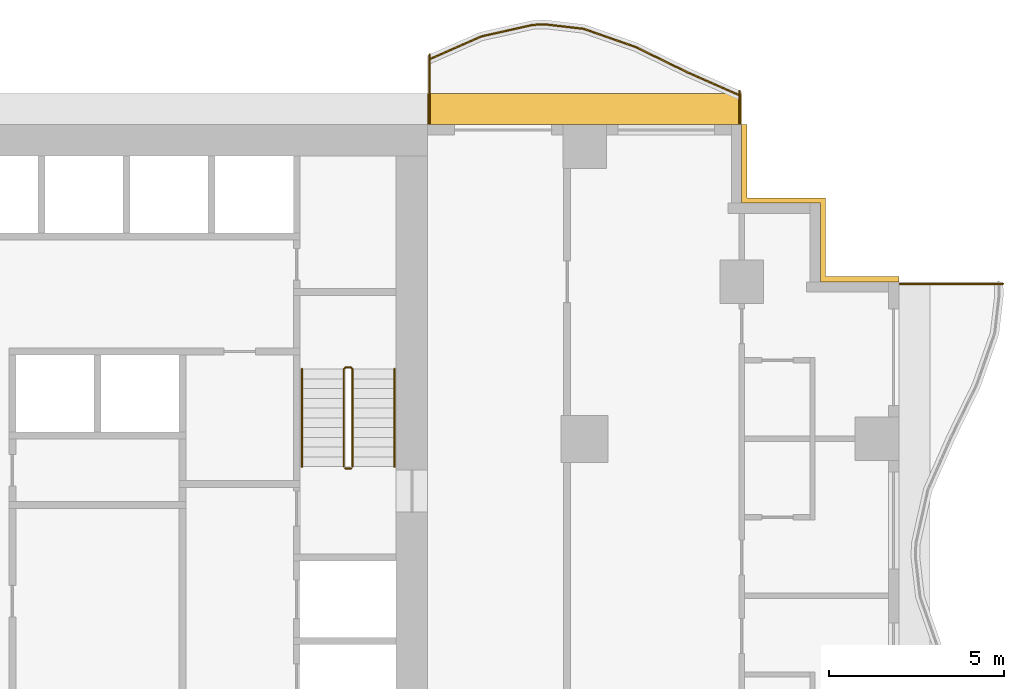
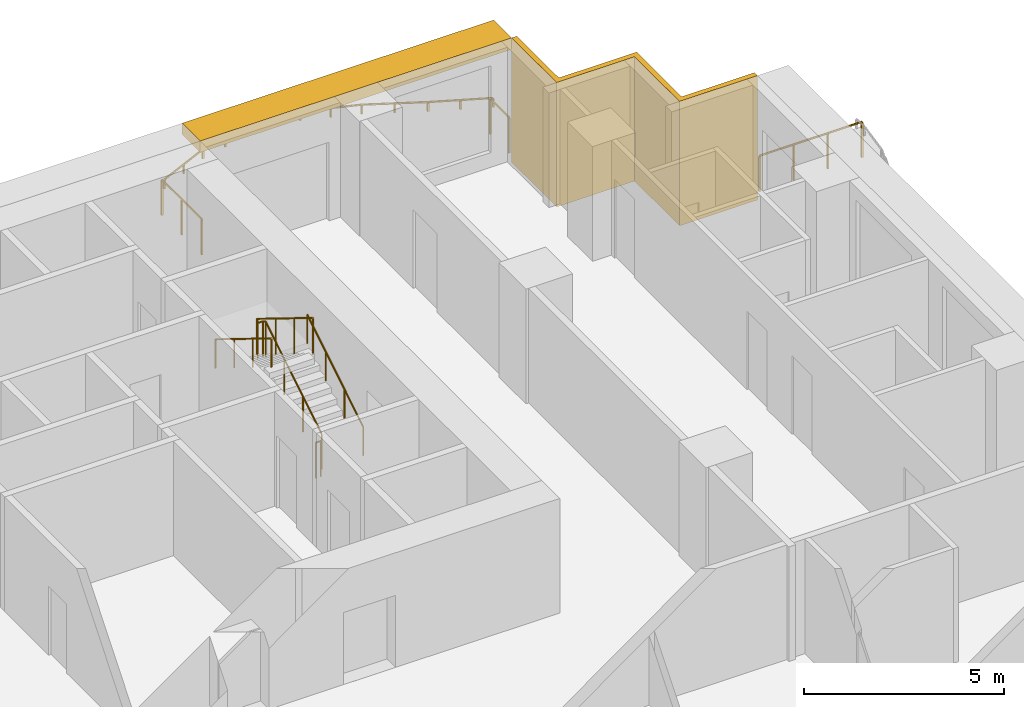
# One storey, part 14 of 14: 8 railings, 2 shading devices.
"""IFC4 building model written with IfcOpenShell, lengths in metres."""

from ifc_helpers import new_model, si_unit, direction, frame, origin, origin_2d, place, context, subcontext, project, spatial, polyline, rectangle, circle, outline, extrude, material, layer, layer_set, type_object, element, save


model = new_model("IFC4")

# Units and contexts
model_context = context("Model", 3, precision=1e-05, world=origin(), true_north=direction((0.0, 1.0)))
body_context = subcontext(model_context, "Body", "Model", "MODEL_VIEW")
ifc_project = project(units=[si_unit("LENGTHUNIT", "METRE"), si_unit("AREAUNIT", "SQUARE_METRE"), si_unit("VOLUMEUNIT", "CUBIC_METRE"), si_unit("PLANEANGLEUNIT", "RADIAN"), si_unit("MASSUNIT", "GRAM", prefix="KILO")], contexts=[model_context])

# Site, building, storey
site_placement = place(None, origin())
site = spatial("IfcSite", under=ifc_project, at=site_placement, CompositionType="ELEMENT")
building_placement = place(site_placement, origin())
building = spatial("IfcBuilding", under=site, at=building_placement, Name="Orbiselva Terraces", CompositionType="ELEMENT")
storey_placement = place(building_placement, frame((0.0, 0.0, 103.6)))
storey = spatial("IfcBuildingStorey", under=building, at=storey_placement, Name="L26", CompositionType="ELEMENT", Elevation=103.6)

# Railings
ifc_material_1 = material(Name="Stainless steel", Category="steel")
railing_type_1 = type_object("IfcRailingType", Name="CORE-GUARD-1100", PredefinedType="GUARDRAIL", material=ifc_material_1)
railing_1_placement = place(storey_placement, frame((11.35, 12.7, 0.172727)))
element("IfcRailing", 1, at=railing_1_placement, inside=storey, type_object=railing_type_1, Name="L26 S2 stair guard 1", PredefinedType="GUARDRAIL", context=body_context, shape_type="SweptSolid", body=[
    extrude(circle(Radius=0.024, at=origin_2d()), frame((0.0, 0.0, 1.081), z_axis=(0.0, 0.851088519012, 0.52502222125), x_axis=(-1.0, 0.0, 0.0)), (0.0, 0.0, 1.0), 3.289905),
    extrude(circle(Radius=0.024, at=origin_2d()), frame((0.0, 2.8, 2.808273), z_axis=(-0.707106781187, 0.707106781187, 0.0), x_axis=(-0.707106781187, -0.707106781187, 0.0)), (0.0, 0.0, 1.0), 0.070711),
    extrude(circle(Radius=0.024, at=origin_2d()), frame((-0.05, 2.85, 2.808273), z_axis=(-1.0, 0.0, 0.0), x_axis=(0.0, -1.0, 0.0)), (0.0, 0.0, 1.0), 0.15),
    extrude(circle(Radius=0.024, at=origin_2d()), frame((-0.2, 2.85, 2.808273), z_axis=(-0.267894925557, -0.267894925557, 0.925453736133), x_axis=(0.707106781187, -0.707106781187, 0.0)), (0.0, 0.0, 1.0), 0.18664),
    extrude(circle(Radius=0.024, at=origin_2d()), frame((-0.25, 2.8, 2.981), z_axis=(0.0, -0.851088519012, 0.52502222125), x_axis=(1.0, 0.0, 0.0)), (0.0, 0.0, 1.0), 3.289905),
    extrude(circle(Radius=0.021, at=origin_2d()), origin(), (0.0, 0.0, 1.0), 1.057),
    extrude(circle(Radius=0.021, at=origin_2d()), frame((0.0, 0.933333, 0.575758)), (0.0, 0.0, 1.0), 1.057),
    extrude(circle(Radius=0.021, at=origin_2d()), frame((0.0, 1.866667, 1.151515)), (0.0, 0.0, 1.0), 1.057),
    extrude(circle(Radius=0.021, at=origin_2d()), frame((0.0, 2.8, 1.727273)), (0.0, 0.0, 1.0), 1.057),
    extrude(circle(Radius=0.021, at=origin_2d()), frame((-0.05, 2.85, 1.727273)), (0.0, 0.0, 1.0), 1.057),
    extrude(circle(Radius=0.021, at=origin_2d()), frame((-0.2, 2.85, 1.727273)), (0.0, 0.0, 1.0), 1.057),
    extrude(circle(Radius=0.021, at=origin_2d()), frame((-0.25, 2.8, 1.9)), (0.0, 0.0, 1.0), 1.057),
    extrude(circle(Radius=0.021, at=origin_2d()), frame((-0.25, 1.866667, 2.475758)), (0.0, 0.0, 1.0), 1.057),
    extrude(circle(Radius=0.021, at=origin_2d()), frame((-0.25, 0.933333, 3.051515)), (0.0, 0.0, 1.0), 1.057),
    extrude(circle(Radius=0.021, at=origin_2d()), frame((-0.25, 0.0, 3.627273)), (0.0, 0.0, 1.0), 1.057),
])
railing_2_placement = place(storey_placement, frame((11.3, 12.65, 0.0)))
element("IfcRailing", 2, at=railing_2_placement, inside=storey, type_object=railing_type_1, Name="L26 S2 stair guard 2", PredefinedType="GUARDRAIL", context=body_context, shape_type="SweptSolid", body=[
    extrude(circle(Radius=0.024, at=origin_2d()), frame((0.0, 0.0, 1.081), z_axis=(-1.0, 0.0, 0.0), x_axis=(0.0, -1.0, 0.0)), (0.0, 0.0, 1.0), 0.15),
    extrude(circle(Radius=0.021, at=origin_2d()), origin(), (0.0, 0.0, 1.0), 1.057),
    extrude(circle(Radius=0.021, at=origin_2d()), frame((-0.15, 0.0, 0.0)), (0.0, 0.0, 1.0), 1.057),
])
railing_type_2 = type_object("IfcRailingType", Name="CORE-HANDRAIL-900", PredefinedType="HANDRAIL", material=ifc_material_1)
railing_3_placement = place(storey_placement, frame((12.55, 12.7, 0.172727)))
element("IfcRailing", 3, at=railing_3_placement, inside=storey, type_object=railing_type_2, Name="L26 S2 stair handrail 1", PredefinedType="HANDRAIL", context=body_context, shape_type="SweptSolid", body=[
    extrude(circle(Radius=0.024, at=origin_2d()), frame((0.0, 0.0, 0.876), z_axis=(0.0, 0.851088519012, 0.52502222125), x_axis=(-1.0, 0.0, 0.0)), (0.0, 0.0, 1.0), 3.289905),
    extrude(circle(Radius=0.021, at=origin_2d()), origin(), (0.0, 0.0, 1.0), 0.852),
    extrude(circle(Radius=0.021, at=origin_2d()), frame((0.0, 0.933333, 0.575758)), (0.0, 0.0, 1.0), 0.852),
    extrude(circle(Radius=0.021, at=origin_2d()), frame((0.0, 1.866667, 1.151515)), (0.0, 0.0, 1.0), 0.852),
    extrude(circle(Radius=0.021, at=origin_2d()), frame((0.0, 2.8, 1.727273)), (0.0, 0.0, 1.0), 0.852),
])
railing_4_placement = place(storey_placement, frame((9.9, 15.5, 2.072727)))
element("IfcRailing", 4, at=railing_4_placement, inside=storey, type_object=railing_type_2, Name="L26 S2 stair handrail 2", PredefinedType="HANDRAIL", context=body_context, shape_type="SweptSolid", body=[
    extrude(circle(Radius=0.024, at=origin_2d()), frame((0.0, 0.0, 0.876), z_axis=(0.0, -0.851088519012, 0.52502222125), x_axis=(1.0, 0.0, 0.0)), (0.0, 0.0, 1.0), 3.289905),
    extrude(circle(Radius=0.021, at=origin_2d()), origin(), (0.0, 0.0, 1.0), 0.852),
    extrude(circle(Radius=0.021, at=origin_2d()), frame((0.0, -0.933333, 0.575758)), (0.0, 0.0, 1.0), 0.852),
    extrude(circle(Radius=0.021, at=origin_2d()), frame((0.0, -1.866667, 1.151515)), (0.0, 0.0, 1.0), 0.852),
    extrude(circle(Radius=0.021, at=origin_2d()), frame((0.0, -2.8, 1.727273)), (0.0, 0.0, 1.0), 0.852),
])
ifc_material_2 = material(Name="Bonded two-ply safety glass balustrade, stainless steel posts", Category="steel")
railing_type_3 = type_object("IfcRailingType", Name="ENV-BALUSTRADE-1200", PredefinedType="BALUSTRADE", material=ifc_material_2)
railing_5_placement = place(storey_placement, frame((22.449606, 23.33708, 0.9)))
element("IfcRailing", 5, at=railing_5_placement, inside=storey, type_object=railing_type_3, Name="Balcony balustrade L26 NE", PredefinedType="BALUSTRADE", context=body_context, shape_type="SweptSolid", body=[
    extrude(outline(polyline([(0.028868, 0.0), (0.014434, 0.025), (-0.014434, 0.025), (-0.028868, 0.0), (-0.014434, -0.025), (0.014434, -0.025), (0.028868, 0.0)])), frame((0.0, 0.0, 0.275), z_axis=(-0.915133394491, 0.403151175476, 0.0), x_axis=(-0.403151175476, -0.915133394491, 0.0)), (0.0, 0.0, 1.0), 1.641563),
    extrude(outline(polyline([(0.028868, 0.0), (0.014434, 0.025), (-0.014434, 0.025), (-0.028868, 0.0), (-0.014434, -0.025), (0.014434, -0.025), (0.028868, 0.0)])), frame((-1.502249, 0.661798, 0.275), z_axis=(-0.89857890432, 0.438811978768, 0.0), x_axis=(-0.438811978768, -0.89857890432, 0.0)), (0.0, 0.0, 1.0), 1.66438),
    extrude(outline(polyline([(0.028868, 0.0), (0.014434, 0.025), (-0.014434, 0.025), (-0.028868, 0.0), (-0.014434, -0.025), (0.014434, -0.025), (0.028868, 0.0)])), frame((-2.997826, 1.392148, 0.275), z_axis=(-0.943972277814, 0.330024754707, 0.0), x_axis=(-0.330024754707, -0.943972277814, 0.0)), (0.0, 0.0, 1.0), 1.567807),
    extrude(outline(polyline([(0.028868, 0.0), (0.014434, 0.025), (-0.014434, 0.025), (-0.028868, 0.0), (-0.014434, -0.025), (0.014434, -0.025), (0.028868, 0.0)])), frame((-4.477792, 1.909563, 0.275), z_axis=(-0.993309658409, 0.115481264762, 0.0), x_axis=(-0.115481264762, -0.993309658409, 0.0)), (0.0, 0.0, 1.0), 1.10902),
    extrude(outline(polyline([(0.028868, 0.0), (0.014434, 0.025), (-0.014434, 0.025), (-0.028868, 0.0), (-0.014434, -0.025), (0.014434, -0.025), (0.028868, 0.0)])), frame((-5.579392, 2.037634, 0.275), z_axis=(-0.999224931454, -0.039364150694, 0.0), x_axis=(0.039364150694, -0.999224931454, 0.0)), (0.0, 0.0, 1.0), 0.354206),
    extrude(outline(polyline([(0.028868, 0.0), (0.014434, 0.025), (-0.014434, 0.025), (-0.028868, 0.0), (-0.014434, -0.025), (0.014434, -0.025), (0.028868, 0.0)])), frame((-5.933323, 2.023691, 0.275), z_axis=(-0.975721325753, -0.219015740235, 0.0), x_axis=(0.219015740235, -0.975721325753, 0.0)), (0.0, 0.0, 1.0), 1.513782),
    extrude(outline(polyline([(0.028868, 0.0), (0.014434, 0.025), (-0.014434, 0.025), (-0.028868, 0.0), (-0.014434, -0.025), (0.014434, -0.025), (0.028868, 0.0)])), frame((-7.410352, 1.692149, 0.275), z_axis=(-0.915133311645, -0.403151363532, 0.0), x_axis=(0.403151363532, -0.915133311645, 0.0)), (0.0, 0.0, 1.0), 1.626932),
    extrude(rectangle(XDim=0.05, YDim=0.05, at=origin_2d()), origin(), (0.0, 0.0, 1.0), 0.25),
    extrude(rectangle(XDim=0.05, YDim=0.05, at=origin_2d()), frame((-0.751124, 0.330899, 0.0)), (0.0, 0.0, 1.0), 0.25),
    extrude(rectangle(XDim=0.05, YDim=0.05, at=origin_2d()), frame((-1.502249, 0.661798, 0.0)), (0.0, 0.0, 1.0), 0.25),
    extrude(rectangle(XDim=0.05, YDim=0.05, at=origin_2d()), frame((-2.250037, 1.026973, 0.0)), (0.0, 0.0, 1.0), 0.25),
    extrude(rectangle(XDim=0.05, YDim=0.05, at=origin_2d()), frame((-2.997826, 1.392148, 0.0)), (0.0, 0.0, 1.0), 0.25),
    extrude(rectangle(XDim=0.05, YDim=0.05, at=origin_2d()), frame((-3.737809, 1.650855, 0.0)), (0.0, 0.0, 1.0), 0.25),
    extrude(rectangle(XDim=0.05, YDim=0.05, at=origin_2d()), frame((-4.477792, 1.909563, 0.0)), (0.0, 0.0, 1.0), 0.25),
    extrude(rectangle(XDim=0.05, YDim=0.05, at=origin_2d()), frame((-5.579392, 2.037634, 0.0)), (0.0, 0.0, 1.0), 0.25),
    extrude(rectangle(XDim=0.05, YDim=0.05, at=origin_2d()), frame((-5.933323, 2.023691, 0.0)), (0.0, 0.0, 1.0), 0.25),
    extrude(rectangle(XDim=0.05, YDim=0.05, at=origin_2d()), frame((-6.671837, 1.85792, 0.0)), (0.0, 0.0, 1.0), 0.25),
    extrude(rectangle(XDim=0.05, YDim=0.05, at=origin_2d()), frame((-7.410352, 1.692149, 0.0)), (0.0, 0.0, 1.0), 0.25),
    extrude(rectangle(XDim=0.05, YDim=0.05, at=origin_2d()), frame((-8.154782, 1.364199, 0.0)), (0.0, 0.0, 1.0), 0.25),
    extrude(rectangle(XDim=0.05, YDim=0.05, at=origin_2d()), frame((-8.899212, 1.036249, 0.0)), (0.0, 0.0, 1.0), 0.25),
])
ifc_material_3 = material(Name="Stainless steel rail and posts", Category="steel")
railing_type_4 = type_object("IfcRailingType", Name="ENV-GUARD-1105", PredefinedType="BALUSTRADE", material=ifc_material_3)
railing_6_placement = place(storey_placement, frame((29.989569, 17.94, 0.0)))
element("IfcRailing", 6, at=railing_6_placement, inside=storey, type_object=railing_type_4, Name="Balcony end guard L26 E", PredefinedType="BALUSTRADE", context=body_context, shape_type="SweptSolid", body=[
    extrude(outline(polyline([(0.028868, 0.0), (0.014434, 0.025), (-0.014434, 0.025), (-0.028868, 0.0), (-0.014434, -0.025), (0.014434, -0.025), (0.028868, 0.0)])), frame((0.0, 0.0, 1.08), z_axis=(-1.0, 0.0, 0.0), x_axis=(0.0, -1.0, 0.0)), (0.0, 0.0, 1.0), 2.964569),
    extrude(rectangle(XDim=0.05, YDim=0.05, at=origin_2d()), origin(), (0.0, 0.0, 1.0), 1.055),
    extrude(rectangle(XDim=0.05, YDim=0.05, at=origin_2d()), frame((-0.98819, 0.0, 0.0)), (0.0, 0.0, 1.0), 1.055),
    extrude(rectangle(XDim=0.05, YDim=0.05, at=origin_2d()), frame((-1.976379, 0.0, 0.0)), (0.0, 0.0, 1.0), 1.055),
    extrude(rectangle(XDim=0.05, YDim=0.05, at=origin_2d()), frame((-2.964569, 0.0, 0.0)), (0.0, 0.0, 1.0), 1.055),
])
railing_7_placement = place(storey_placement, frame((22.44, 23.473063, 0.0)))
element("IfcRailing", 7, at=railing_7_placement, inside=storey, type_object=railing_type_4, Name="Balcony end guard L26 NE", PredefinedType="BALUSTRADE", context=body_context, shape_type="SweptSolid", body=[
    extrude(outline(polyline([(0.028868, 0.0), (0.014434, 0.025), (-0.014434, 0.025), (-0.028868, 0.0), (-0.014434, -0.025), (0.014434, -0.025), (0.028868, 0.0)])), frame((0.0, 0.0, 1.08), z_axis=(0.0, -1.0, 0.0), x_axis=(1.0, 0.0, 0.0)), (0.0, 0.0, 1.0), 0.948063),
    extrude(rectangle(XDim=0.05, YDim=0.05, at=origin_2d()), origin(), (0.0, 0.0, 1.0), 1.055),
    extrude(rectangle(XDim=0.05, YDim=0.05, at=origin_2d()), frame((0.0, -0.948063, 0.0)), (0.0, 0.0, 1.0), 1.055),
])
railing_8_placement = place(storey_placement, frame((13.56, 24.517447, 0.0)))
element("IfcRailing", 8, at=railing_8_placement, inside=storey, type_object=railing_type_4, Name="Balcony end guard L26 NE", PredefinedType="BALUSTRADE", context=body_context, shape_type="SweptSolid", body=[
    extrude(outline(polyline([(0.028868, 0.0), (0.014434, 0.025), (-0.014434, 0.025), (-0.028868, 0.0), (-0.014434, -0.025), (0.014434, -0.025), (0.028868, 0.0)])), frame((0.0, 0.0, 1.08), z_axis=(0.0, -1.0, 0.0), x_axis=(1.0, 0.0, 0.0)), (0.0, 0.0, 1.0), 1.992447),
    extrude(rectangle(XDim=0.05, YDim=0.05, at=origin_2d()), origin(), (0.0, 0.0, 1.0), 1.055),
    extrude(rectangle(XDim=0.05, YDim=0.05, at=origin_2d()), frame((0.0, -0.996224, 0.0)), (0.0, 0.0, 1.0), 1.055),
    extrude(rectangle(XDim=0.05, YDim=0.05, at=origin_2d()), frame((0.0, -1.992447, 0.0)), (0.0, 0.0, 1.0), 1.055),
])

# Shading devices
ifc_material_4 = material(Name="Terracotta louvre screen", Category="masonry")
ifc_layer_1 = layer(ifc_material_4, 0.15)
ifc_layer_set_1 = layer_set([ifc_layer_1], Name="Terracotta louvre screen")
shading_device_type_1 = type_object("IfcShadingDeviceType", Name="ENV-SCREEN-150", PredefinedType="USERDEFINED", material=ifc_layer_set_1)
shading_device_1_placement = place(storey_placement, frame((0.0, 0.0, -0.3)))
element("IfcShadingDevice", 9, at=shading_device_1_placement, inside=storey, type_object=shading_device_type_1, Name="Louvre screen L26 NE", ObjectType="SCREEN", PredefinedType="USERDEFINED", context=body_context, shape_type="SweptSolid", body=[
    extrude(outline(polyline([(27.0, 18.15), (24.9, 18.15), (24.9, 20.4), (22.65, 20.4), (22.65, 22.5), (22.5, 22.5), (22.5, 20.25), (24.75, 20.25), (24.75, 18.0), (27.0, 18.0), (27.0, 18.15)])), origin(), (0.0, 0.0, 1.0), 3.8),
])
ifc_material_5 = material(Name="Terracotta baguette sunshade", Category="masonry")
ifc_layer_2 = layer(ifc_material_5, 0.35)
ifc_layer_set_2 = layer_set([ifc_layer_2], Name="Terracotta baguette sunshade")
shading_device_type_2 = type_object("IfcShadingDeviceType", Name="ENV-SUNSHADE-900x350", PredefinedType="USERDEFINED", material=ifc_layer_set_2)
shading_device_2_placement = place(storey_placement, frame((0.0, 0.0, 3.15)))
element("IfcShadingDevice", 10, at=shading_device_2_placement, inside=storey, type_object=shading_device_type_2, Name="Sunshade band L26 NE", ObjectType="SUNSHADE", PredefinedType="USERDEFINED", context=body_context, shape_type="SweptSolid", body=[
    extrude(outline(polyline([(22.5, 23.4), (13.5, 23.4), (13.5, 22.5), (22.5, 22.5), (22.5, 23.4)])), origin(), (0.0, 0.0, 1.0), 0.35),
])

save(model, "model.ifc")
